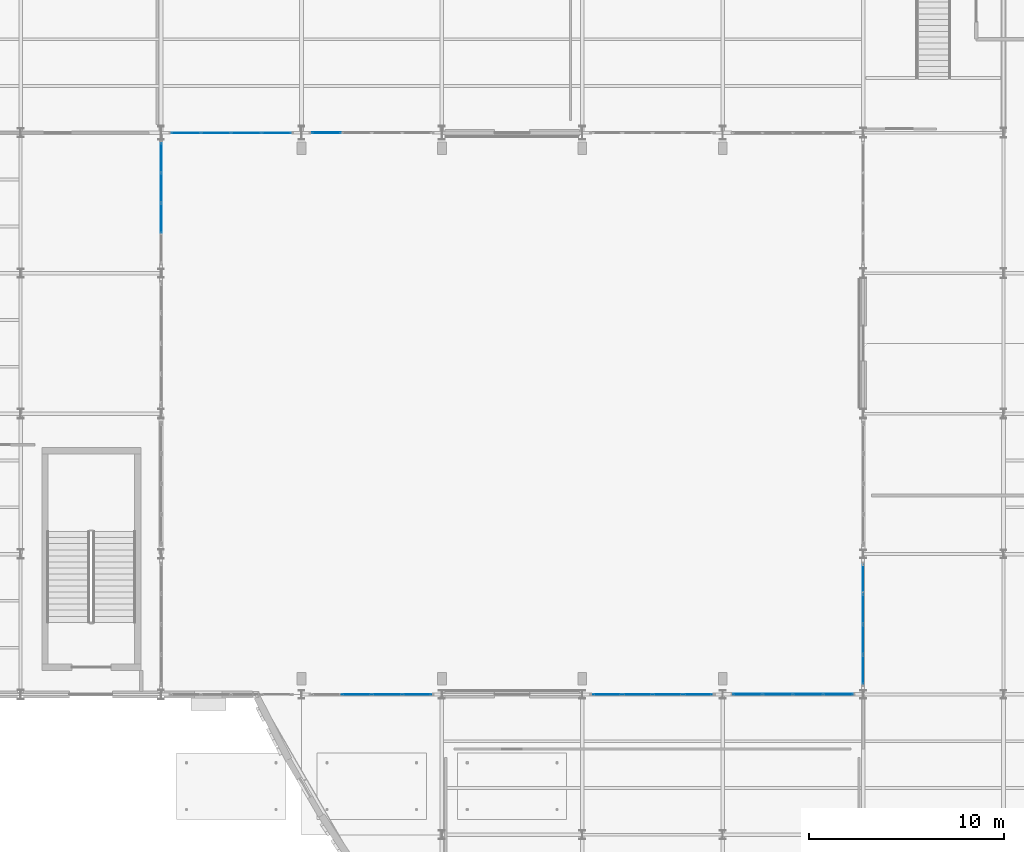
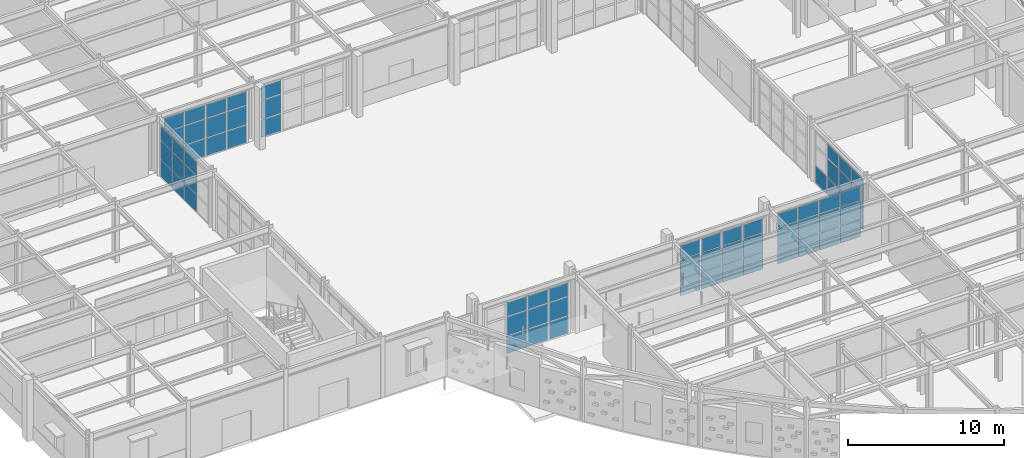
# One storey, part 50 of 83: 67 plates, 7 elements without a shape of their own.
"""IFC4 building model written with IfcOpenShell, lengths in metres."""

from ifc_helpers import new_model, si_unit, direction, frame, origin, origin_2d, place, context, subcontext, project, spatial, rectangle, extrude, material, layer, layer_set, type_object, element, aggregate, save


model = new_model("IFC4")

# Units and contexts
model_context = context("Model", 3, precision=1e-05, world=origin(), true_north=direction((0.0, 1.0)))
body_context = subcontext(model_context, "Body", "Model", "MODEL_VIEW")
ifc_project = project(units=[si_unit("LENGTHUNIT", "METRE"), si_unit("AREAUNIT", "SQUARE_METRE"), si_unit("VOLUMEUNIT", "CUBIC_METRE"), si_unit("PLANEANGLEUNIT", "RADIAN"), si_unit("MASSUNIT", "GRAM", prefix="KILO")], contexts=[model_context])

# Site, building, storey
site_placement = place(None, origin())
site = spatial("IfcSite", under=ifc_project, at=site_placement, CompositionType="ELEMENT")
building_placement = place(site_placement, origin())
building = spatial("IfcBuilding", under=site, at=building_placement, Name="Solvadek Multi-Sports Hall", CompositionType="ELEMENT")
storey_placement = place(building_placement, origin())
storey = spatial("IfcBuildingStorey", under=building, at=storey_placement, Name="L00", CompositionType="ELEMENT", Elevation=0.0)

# Curtain wall, plates
ifc_material_1 = material(Name="Anodised aluminium", Category="aluminium")
ifc_layer_1 = layer(ifc_material_1, 0.159912109375, Name="Anodised aluminium")
ifc_layer_set_1 = layer_set([ifc_layer_1], Name="Anodised aluminium")
curtain_wall_type_1 = type_object("IfcCurtainWallType", Name="ENV-CW-624X412", PredefinedType="USERDEFINED", material=ifc_layer_set_1)
curtain_wall_1_placement = place(storey_placement, origin())
curtain_wall_1 = element("IfcCurtainWall", 1, at=curtain_wall_1_placement, inside=storey, type_object=curtain_wall_type_1, Name="L00 Perimeter Bay Curtain Wall #155", ObjectType="CURTAIN WALL", PredefinedType="USERDEFINED")
ifc_material_2 = material(Name="Tempered laminated low-E glass", Category="glass")
ifc_layer_2 = layer(ifc_material_2, 0.028076171875, Name="Tempered laminated low-E glass")
ifc_layer_set_2 = layer_set([ifc_layer_2], Name="Tempered laminated low-E glass")
plate_type_1 = type_object("IfcPlateType", Name="ENV-CWP-02", PredefinedType="CURTAIN_PANEL", material=ifc_layer_set_2)
plate_1_placement = place(storey_placement, frame((22.875, 49.199951171875, 0.06005859375), z_axis=(0.0, 0.0, 1.0), x_axis=(1.0, 0.0, 0.0)))
plate_1 = element("IfcPlate", 2, at=plate_1_placement, type_object=plate_type_1, Name="CW-38 panel 1.1", PredefinedType="CURTAIN_PANEL", context=body_context, shape_type="SweptSolid", body=[
    extrude(rectangle(XDim=1.469970703125, YDim=0.028076171875, at=origin_2d()), origin(), (0.0, 0.0, 1.0), 1.35400390625),
])
plate_2_placement = place(storey_placement, frame((22.875, 49.199951171875, 1.47412109375), z_axis=(0.0, 0.0, 1.0), x_axis=(1.0, 0.0, 0.0)))
plate_2 = element("IfcPlate", 3, at=plate_2_placement, type_object=plate_type_1, Name="CW-38 panel 1.2", PredefinedType="CURTAIN_PANEL", context=body_context, shape_type="SweptSolid", body=[
    extrude(rectangle(XDim=1.469970703125, YDim=0.028076171875, at=origin_2d()), origin(), (0.0, 0.0, 1.0), 1.466064453125),
])
plate_3_placement = place(storey_placement, frame((22.875, 49.199951171875, 3.0), z_axis=(0.0, 0.0, 1.0), x_axis=(1.0, 0.0, 0.0)))
plate_3 = element("IfcPlate", 4, at=plate_3_placement, type_object=plate_type_1, Name="CW-38 panel 1.3", PredefinedType="CURTAIN_PANEL", context=body_context, shape_type="SweptSolid", body=[
    extrude(rectangle(XDim=1.469970703125, YDim=0.028076171875, at=origin_2d()), origin(), (0.0, 0.0, 1.0), 1.06494140625),
])
plate_4_placement = place(storey_placement, frame((24.419921875, 49.199951171875, 0.06005859375), z_axis=(0.0, 0.0, 1.0), x_axis=(1.0, 0.0, 0.0)))
plate_4 = element("IfcPlate", 5, at=plate_4_placement, type_object=plate_type_1, Name="CW-38 panel 2.1", PredefinedType="CURTAIN_PANEL", context=body_context, shape_type="SweptSolid", body=[
    extrude(rectangle(XDim=1.5, YDim=0.028076171875, at=origin_2d()), origin(), (0.0, 0.0, 1.0), 1.35400390625),
])
plate_5_placement = place(storey_placement, frame((24.419921875, 49.199951171875, 1.47412109375), z_axis=(0.0, 0.0, 1.0), x_axis=(1.0, 0.0, 0.0)))
plate_5 = element("IfcPlate", 6, at=plate_5_placement, type_object=plate_type_1, Name="CW-38 panel 2.2", PredefinedType="CURTAIN_PANEL", context=body_context, shape_type="SweptSolid", body=[
    extrude(rectangle(XDim=1.5, YDim=0.028076171875, at=origin_2d()), origin(), (0.0, 0.0, 1.0), 1.466064453125),
])
plate_6_placement = place(storey_placement, frame((24.419921875, 49.199951171875, 3.0), z_axis=(0.0, 0.0, 1.0), x_axis=(1.0, 0.0, 0.0)))
plate_6 = element("IfcPlate", 7, at=plate_6_placement, type_object=plate_type_1, Name="CW-38 panel 2.3", PredefinedType="CURTAIN_PANEL", context=body_context, shape_type="SweptSolid", body=[
    extrude(rectangle(XDim=1.5, YDim=0.028076171875, at=origin_2d()), origin(), (0.0, 0.0, 1.0), 1.06494140625),
])
plate_7_placement = place(storey_placement, frame((25.97998046875, 49.199951171875, 0.06005859375), z_axis=(0.0, 0.0, 1.0), x_axis=(1.0, 0.0, 0.0)))
plate_7 = element("IfcPlate", 8, at=plate_7_placement, type_object=plate_type_1, Name="CW-38 panel 3.1", PredefinedType="CURTAIN_PANEL", context=body_context, shape_type="SweptSolid", body=[
    extrude(rectangle(XDim=1.5, YDim=0.028076171875, at=origin_2d()), origin(), (0.0, 0.0, 1.0), 1.35400390625),
])
plate_8_placement = place(storey_placement, frame((25.97998046875, 49.199951171875, 1.47412109375), z_axis=(0.0, 0.0, 1.0), x_axis=(1.0, 0.0, 0.0)))
plate_8 = element("IfcPlate", 9, at=plate_8_placement, type_object=plate_type_1, Name="CW-38 panel 3.2", PredefinedType="CURTAIN_PANEL", context=body_context, shape_type="SweptSolid", body=[
    extrude(rectangle(XDim=1.5, YDim=0.028076171875, at=origin_2d()), origin(), (0.0, 0.0, 1.0), 1.466064453125),
])
plate_9_placement = place(storey_placement, frame((25.97998046875, 49.199951171875, 3.0), z_axis=(0.0, 0.0, 1.0), x_axis=(1.0, 0.0, 0.0)))
plate_9 = element("IfcPlate", 10, at=plate_9_placement, type_object=plate_type_1, Name="CW-38 panel 3.3", PredefinedType="CURTAIN_PANEL", context=body_context, shape_type="SweptSolid", body=[
    extrude(rectangle(XDim=1.5, YDim=0.028076171875, at=origin_2d()), origin(), (0.0, 0.0, 1.0), 1.06494140625),
])
plate_10_placement = place(storey_placement, frame((27.52490234375, 49.199951171875, 0.06005859375), z_axis=(0.0, 0.0, 1.0), x_axis=(1.0, 0.0, 0.0)))
plate_10 = element("IfcPlate", 11, at=plate_10_placement, type_object=plate_type_1, Name="CW-38 panel 4.1", PredefinedType="CURTAIN_PANEL", context=body_context, shape_type="SweptSolid", body=[
    extrude(rectangle(XDim=1.469970703125, YDim=0.028076171875, at=origin_2d()), origin(), (0.0, 0.0, 1.0), 1.35400390625),
])
plate_11_placement = place(storey_placement, frame((27.52490234375, 49.199951171875, 1.47412109375), z_axis=(0.0, 0.0, 1.0), x_axis=(1.0, 0.0, 0.0)))
plate_11 = element("IfcPlate", 12, at=plate_11_placement, type_object=plate_type_1, Name="CW-38 panel 4.2", PredefinedType="CURTAIN_PANEL", context=body_context, shape_type="SweptSolid", body=[
    extrude(rectangle(XDim=1.469970703125, YDim=0.028076171875, at=origin_2d()), origin(), (0.0, 0.0, 1.0), 1.466064453125),
])
plate_12_placement = place(storey_placement, frame((27.52490234375, 49.199951171875, 3.0), z_axis=(0.0, 0.0, 1.0), x_axis=(1.0, 0.0, 0.0)))
plate_12 = element("IfcPlate", 13, at=plate_12_placement, type_object=plate_type_1, Name="CW-38 panel 4.3", PredefinedType="CURTAIN_PANEL", context=body_context, shape_type="SweptSolid", body=[
    extrude(rectangle(XDim=1.469970703125, YDim=0.028076171875, at=origin_2d()), origin(), (0.0, 0.0, 1.0), 1.06494140625),
])
aggregate(curtain_wall_1, [plate_1, plate_2, plate_3, plate_4, plate_5, plate_6, plate_7, plate_8, plate_9, plate_10, plate_11, plate_12])

ifc_layer_3 = layer(ifc_material_1, 0.159912109375, Name="Anodised aluminium")
ifc_layer_set_3 = layer_set([ifc_layer_3], Name="Anodised aluminium")
curtain_wall_type_2 = type_object("IfcCurtainWallType", Name="ENV-CW-624X410", PredefinedType="USERDEFINED", material=ifc_layer_set_3)
curtain_wall_2_placement = place(storey_placement, origin())
curtain_wall_2 = element("IfcCurtainWall", 14, at=curtain_wall_2_placement, inside=storey, type_object=curtain_wall_type_2, Name="L00 Perimeter Bay Curtain Wall #158", ObjectType="CURTAIN WALL", PredefinedType="USERDEFINED")
ifc_layer_4 = layer(ifc_material_2, 0.031982421875, Name="Tempered laminated low-E glass")
ifc_layer_set_4 = layer_set([ifc_layer_4], Name="Tempered laminated low-E glass")
plate_type_2 = type_object("IfcPlateType", Name="ENV-CWP-03", PredefinedType="CURTAIN_PANEL", material=ifc_layer_set_4)
plate_13_placement = place(storey_placement, frame((31.6201171875, 20.39990234375, 0.06494140625), z_axis=(0.0, 0.0, 1.0), x_axis=(1.0, 0.0, 0.0)))
plate_13 = element("IfcPlate", 15, at=plate_13_placement, type_object=plate_type_2, Name="CW-39 panel 2.1", PredefinedType="CURTAIN_PANEL", context=body_context, shape_type="SweptSolid", body=[
    extrude(rectangle(XDim=1.4951171875, YDim=0.031982421875, at=origin_2d()), origin(), (0.0, 0.0, 1.0), 1.33740234375),
])
plate_14_placement = place(storey_placement, frame((31.6201171875, 20.39990234375, 1.4677734375), z_axis=(0.0, 0.0, 1.0), x_axis=(1.0, 0.0, 0.0)))
plate_14 = element("IfcPlate", 16, at=plate_14_placement, type_object=plate_type_2, Name="CW-39 panel 2.2", PredefinedType="CURTAIN_PANEL", context=body_context, shape_type="SweptSolid", body=[
    extrude(rectangle(XDim=1.4951171875, YDim=0.031982421875, at=origin_2d()), origin(), (0.0, 0.0, 1.0), 1.451904296875),
])
plate_15_placement = place(storey_placement, frame((31.6201171875, 20.39990234375, 2.984375), z_axis=(0.0, 0.0, 1.0), x_axis=(1.0, 0.0, 0.0)))
plate_15 = element("IfcPlate", 17, at=plate_15_placement, type_object=plate_type_2, Name="CW-39 panel 2.3", PredefinedType="CURTAIN_PANEL", context=body_context, shape_type="SweptSolid", body=[
    extrude(rectangle(XDim=1.4951171875, YDim=0.031982421875, at=origin_2d()), origin(), (0.0, 0.0, 1.0), 1.050537109375),
])
plate_16_placement = place(storey_placement, frame((33.179931640625, 20.39990234375, 0.06494140625), z_axis=(0.0, 0.0, 1.0), x_axis=(1.0, 0.0, 0.0)))
plate_16 = element("IfcPlate", 18, at=plate_16_placement, type_object=plate_type_2, Name="CW-39 panel 3.1", PredefinedType="CURTAIN_PANEL", context=body_context, shape_type="SweptSolid", body=[
    extrude(rectangle(XDim=1.4951171875, YDim=0.031982421875, at=origin_2d()), origin(), (0.0, 0.0, 1.0), 1.33740234375),
])
plate_17_placement = place(storey_placement, frame((33.179931640625, 20.39990234375, 1.4677734375), z_axis=(0.0, 0.0, 1.0), x_axis=(1.0, 0.0, 0.0)))
plate_17 = element("IfcPlate", 19, at=plate_17_placement, type_object=plate_type_2, Name="CW-39 panel 3.2", PredefinedType="CURTAIN_PANEL", context=body_context, shape_type="SweptSolid", body=[
    extrude(rectangle(XDim=1.4951171875, YDim=0.031982421875, at=origin_2d()), origin(), (0.0, 0.0, 1.0), 1.451904296875),
])
plate_18_placement = place(storey_placement, frame((33.179931640625, 20.39990234375, 2.984375), z_axis=(0.0, 0.0, 1.0), x_axis=(1.0, 0.0, 0.0)))
plate_18 = element("IfcPlate", 20, at=plate_18_placement, type_object=plate_type_2, Name="CW-39 panel 3.3", PredefinedType="CURTAIN_PANEL", context=body_context, shape_type="SweptSolid", body=[
    extrude(rectangle(XDim=1.4951171875, YDim=0.031982421875, at=origin_2d()), origin(), (0.0, 0.0, 1.0), 1.050537109375),
])
plate_19_placement = place(storey_placement, frame((34.7236328125, 20.39990234375, 0.06494140625), z_axis=(0.0, 0.0, 1.0), x_axis=(1.0, 0.0, 0.0)))
plate_19 = element("IfcPlate", 21, at=plate_19_placement, type_object=plate_type_2, Name="CW-39 panel 4.1", PredefinedType="CURTAIN_PANEL", context=body_context, shape_type="SweptSolid", body=[
    extrude(rectangle(XDim=1.46240234375, YDim=0.031982421875, at=origin_2d()), origin(), (0.0, 0.0, 1.0), 1.33740234375),
])
plate_20_placement = place(storey_placement, frame((34.7236328125, 20.39990234375, 1.4677734375), z_axis=(0.0, 0.0, 1.0), x_axis=(1.0, 0.0, 0.0)))
plate_20 = element("IfcPlate", 22, at=plate_20_placement, type_object=plate_type_2, Name="CW-39 panel 4.2", PredefinedType="CURTAIN_PANEL", context=body_context, shape_type="SweptSolid", body=[
    extrude(rectangle(XDim=1.46240234375, YDim=0.031982421875, at=origin_2d()), origin(), (0.0, 0.0, 1.0), 1.451904296875),
])
plate_21_placement = place(storey_placement, frame((34.7236328125, 20.39990234375, 2.984375), z_axis=(0.0, 0.0, 1.0), x_axis=(1.0, 0.0, 0.0)))
plate_21 = element("IfcPlate", 23, at=plate_21_placement, type_object=plate_type_2, Name="CW-39 panel 4.3", PredefinedType="CURTAIN_PANEL", context=body_context, shape_type="SweptSolid", body=[
    extrude(rectangle(XDim=1.46240234375, YDim=0.031982421875, at=origin_2d()), origin(), (0.0, 0.0, 1.0), 1.050537109375),
])
aggregate(curtain_wall_2, [plate_13, plate_14, plate_15, plate_16, plate_17, plate_18, plate_19, plate_20, plate_21])

curtain_wall_3_placement = place(storey_placement, origin())
curtain_wall_3 = element("IfcCurtainWall", 24, at=curtain_wall_3_placement, inside=storey, type_object=curtain_wall_type_2, Name="L00 Perimeter Bay Curtain Wall #161", ObjectType="CURTAIN WALL", PredefinedType="USERDEFINED")
plate_22_placement = place(storey_placement, frame((30.076171875, 49.199951171875, 0.06494140625), z_axis=(0.0, 0.0, 1.0), x_axis=(1.0, 0.0, 0.0)))
plate_22 = element("IfcPlate", 25, at=plate_22_placement, type_object=plate_type_2, Name="CW-39 panel 1.1", PredefinedType="CURTAIN_PANEL", context=body_context, shape_type="SweptSolid", body=[
    extrude(rectangle(XDim=1.46240234375, YDim=0.031982421875, at=origin_2d()), origin(), (0.0, 0.0, 1.0), 1.33740234375),
])
plate_23_placement = place(storey_placement, frame((30.076171875, 49.199951171875, 1.4677734375), z_axis=(0.0, 0.0, 1.0), x_axis=(1.0, 0.0, 0.0)))
plate_23 = element("IfcPlate", 26, at=plate_23_placement, type_object=plate_type_2, Name="CW-39 panel 1.2", PredefinedType="CURTAIN_PANEL", context=body_context, shape_type="SweptSolid", body=[
    extrude(rectangle(XDim=1.46240234375, YDim=0.031982421875, at=origin_2d()), origin(), (0.0, 0.0, 1.0), 1.451904296875),
])
plate_24_placement = place(storey_placement, frame((30.076171875, 49.199951171875, 2.984375), z_axis=(0.0, 0.0, 1.0), x_axis=(1.0, 0.0, 0.0)))
plate_24 = element("IfcPlate", 27, at=plate_24_placement, type_object=plate_type_2, Name="CW-39 panel 1.3", PredefinedType="CURTAIN_PANEL", context=body_context, shape_type="SweptSolid", body=[
    extrude(rectangle(XDim=1.46240234375, YDim=0.031982421875, at=origin_2d()), origin(), (0.0, 0.0, 1.0), 1.050537109375),
])
aggregate(curtain_wall_3, [plate_22, plate_23, plate_24])

curtain_wall_4_placement = place(storey_placement, origin())
curtain_wall_4 = element("IfcCurtainWall", 28, at=curtain_wall_4_placement, inside=storey, type_object=curtain_wall_type_2, Name="L00 Perimeter Bay Curtain Wall #183", ObjectType="CURTAIN WALL", PredefinedType="USERDEFINED")
plate_25_placement = place(storey_placement, frame((57.60009765625, 21.67626953125, 0.06494140625), z_axis=(0.0, 0.0, 1.0), x_axis=(0.0, 1.0, 0.0)))
plate_25 = element("IfcPlate", 29, at=plate_25_placement, type_object=plate_type_2, Name="CW-39 panel 1.1", PredefinedType="CURTAIN_PANEL", context=body_context, shape_type="SweptSolid", body=[
    extrude(rectangle(XDim=1.46240234375, YDim=0.031982421875, at=origin_2d()), origin(), (0.0, 0.0, 1.0), 1.33740234375),
])
plate_26_placement = place(storey_placement, frame((57.60009765625, 21.67626953125, 1.4677734375), z_axis=(0.0, 0.0, 1.0), x_axis=(0.0, 1.0, 0.0)))
plate_26 = element("IfcPlate", 30, at=plate_26_placement, type_object=plate_type_2, Name="CW-39 panel 1.2", PredefinedType="CURTAIN_PANEL", context=body_context, shape_type="SweptSolid", body=[
    extrude(rectangle(XDim=1.46240234375, YDim=0.031982421875, at=origin_2d()), origin(), (0.0, 0.0, 1.0), 1.451904296875),
])
plate_27_placement = place(storey_placement, frame((57.60009765625, 21.67626953125, 2.984375), z_axis=(0.0, 0.0, 1.0), x_axis=(0.0, 1.0, 0.0)))
plate_27 = element("IfcPlate", 31, at=plate_27_placement, type_object=plate_type_2, Name="CW-39 panel 1.3", PredefinedType="CURTAIN_PANEL", context=body_context, shape_type="SweptSolid", body=[
    extrude(rectangle(XDim=1.46240234375, YDim=0.031982421875, at=origin_2d()), origin(), (0.0, 0.0, 1.0), 1.050537109375),
])
plate_28_placement = place(storey_placement, frame((57.60009765625, 23.219970703125, 0.06494140625), z_axis=(0.0, 0.0, 1.0), x_axis=(0.0, 1.0, 0.0)))
plate_28 = element("IfcPlate", 32, at=plate_28_placement, type_object=plate_type_2, Name="CW-39 panel 2.1", PredefinedType="CURTAIN_PANEL", context=body_context, shape_type="SweptSolid", body=[
    extrude(rectangle(XDim=1.4951171875, YDim=0.031982421875, at=origin_2d()), origin(), (0.0, 0.0, 1.0), 1.33740234375),
])
plate_29_placement = place(storey_placement, frame((57.60009765625, 23.219970703125, 1.4677734375), z_axis=(0.0, 0.0, 1.0), x_axis=(0.0, 1.0, 0.0)))
plate_29 = element("IfcPlate", 33, at=plate_29_placement, type_object=plate_type_2, Name="CW-39 panel 2.2", PredefinedType="CURTAIN_PANEL", context=body_context, shape_type="SweptSolid", body=[
    extrude(rectangle(XDim=1.4951171875, YDim=0.031982421875, at=origin_2d()), origin(), (0.0, 0.0, 1.0), 1.451904296875),
])
plate_30_placement = place(storey_placement, frame((57.60009765625, 23.219970703125, 2.984375), z_axis=(0.0, 0.0, 1.0), x_axis=(0.0, 1.0, 0.0)))
plate_30 = element("IfcPlate", 34, at=plate_30_placement, type_object=plate_type_2, Name="CW-39 panel 2.3", PredefinedType="CURTAIN_PANEL", context=body_context, shape_type="SweptSolid", body=[
    extrude(rectangle(XDim=1.4951171875, YDim=0.031982421875, at=origin_2d()), origin(), (0.0, 0.0, 1.0), 1.050537109375),
])
plate_31_placement = place(storey_placement, frame((57.60009765625, 24.780029296875, 0.06494140625), z_axis=(0.0, 0.0, 1.0), x_axis=(0.0, 1.0, 0.0)))
plate_31 = element("IfcPlate", 35, at=plate_31_placement, type_object=plate_type_2, Name="CW-39 panel 3.1", PredefinedType="CURTAIN_PANEL", context=body_context, shape_type="SweptSolid", body=[
    extrude(rectangle(XDim=1.4951171875, YDim=0.031982421875, at=origin_2d()), origin(), (0.0, 0.0, 1.0), 1.33740234375),
])
plate_32_placement = place(storey_placement, frame((57.60009765625, 24.780029296875, 1.4677734375), z_axis=(0.0, 0.0, 1.0), x_axis=(0.0, 1.0, 0.0)))
plate_32 = element("IfcPlate", 36, at=plate_32_placement, type_object=plate_type_2, Name="CW-39 panel 3.2", PredefinedType="CURTAIN_PANEL", context=body_context, shape_type="SweptSolid", body=[
    extrude(rectangle(XDim=1.4951171875, YDim=0.031982421875, at=origin_2d()), origin(), (0.0, 0.0, 1.0), 1.451904296875),
])
plate_33_placement = place(storey_placement, frame((57.60009765625, 24.780029296875, 2.984375), z_axis=(0.0, 0.0, 1.0), x_axis=(0.0, 1.0, 0.0)))
plate_33 = element("IfcPlate", 37, at=plate_33_placement, type_object=plate_type_2, Name="CW-39 panel 3.3", PredefinedType="CURTAIN_PANEL", context=body_context, shape_type="SweptSolid", body=[
    extrude(rectangle(XDim=1.4951171875, YDim=0.031982421875, at=origin_2d()), origin(), (0.0, 0.0, 1.0), 1.050537109375),
])
plate_34_placement = place(storey_placement, frame((57.60009765625, 26.32373046875, 0.06494140625), z_axis=(0.0, 0.0, 1.0), x_axis=(0.0, 1.0, 0.0)))
plate_34 = element("IfcPlate", 38, at=plate_34_placement, type_object=plate_type_2, Name="CW-39 panel 4.1", PredefinedType="CURTAIN_PANEL", context=body_context, shape_type="SweptSolid", body=[
    extrude(rectangle(XDim=1.46240234375, YDim=0.031982421875, at=origin_2d()), origin(), (0.0, 0.0, 1.0), 1.33740234375),
])
aggregate(curtain_wall_4, [plate_25, plate_26, plate_27, plate_28, plate_29, plate_30, plate_31, plate_32, plate_33, plate_34])

ifc_layer_5 = layer(ifc_material_1, 0.159912109375, Name="Anodised aluminium")
ifc_layer_set_5 = layer_set([ifc_layer_5], Name="Anodised aluminium")
curtain_wall_type_3 = type_object("IfcCurtainWallType", Name="ENV-CW-624X405", PredefinedType="USERDEFINED", material=ifc_layer_set_5)
curtain_wall_5_placement = place(storey_placement, origin())
curtain_wall_5 = element("IfcCurtainWall", 39, at=curtain_wall_5_placement, inside=storey, type_object=curtain_wall_type_3, Name="L00 Perimeter Bay Curtain Wall #168", ObjectType="CURTAIN WALL", PredefinedType="USERDEFINED")
ifc_layer_6 = layer(ifc_material_2, 0.0419921875, Name="Tempered laminated low-E glass")
ifc_layer_set_6 = layer_set([ifc_layer_6], Name="Tempered laminated low-E glass")
plate_type_3 = type_object("IfcPlateType", Name="ENV-CWP-05", PredefinedType="CURTAIN_PANEL", material=ifc_layer_set_6)
plate_35_placement = place(storey_placement, frame((44.4775390625, 20.39990234375, 0.06005859375), z_axis=(0.0, 0.0, 1.0), x_axis=(1.0, 0.0, 0.0)))
plate_35 = element("IfcPlate", 40, at=plate_35_placement, type_object=plate_type_3, Name="CW-52 panel 1.1", PredefinedType="CURTAIN_PANEL", context=body_context, shape_type="SweptSolid", body=[
    extrude(rectangle(XDim=1.455078125, YDim=0.0419921875, at=origin_2d()), origin(), (0.0, 0.0, 1.0), 1.326904296875),
])
plate_36_placement = place(storey_placement, frame((44.4775390625, 20.39990234375, 1.447021484375), z_axis=(0.0, 0.0, 1.0), x_axis=(1.0, 0.0, 0.0)))
plate_36 = element("IfcPlate", 41, at=plate_36_placement, type_object=plate_type_3, Name="CW-52 panel 1.2", PredefinedType="CURTAIN_PANEL", context=body_context, shape_type="SweptSolid", body=[
    extrude(rectangle(XDim=1.455078125, YDim=0.0419921875, at=origin_2d()), origin(), (0.0, 0.0, 1.0), 1.43896484375),
])
plate_37_placement = place(storey_placement, frame((44.4775390625, 20.39990234375, 2.946044921875), z_axis=(0.0, 0.0, 1.0), x_axis=(1.0, 0.0, 0.0)))
plate_37 = element("IfcPlate", 42, at=plate_37_placement, type_object=plate_type_3, Name="CW-52 panel 1.3", PredefinedType="CURTAIN_PANEL", context=body_context, shape_type="SweptSolid", body=[
    extrude(rectangle(XDim=1.455078125, YDim=0.0419921875, at=origin_2d()), origin(), (0.0, 0.0, 1.0), 1.0439453125),
])
plate_38_placement = place(storey_placement, frame((46.02001953125, 20.39990234375, 0.06005859375), z_axis=(0.0, 0.0, 1.0), x_axis=(1.0, 0.0, 0.0)))
plate_38 = element("IfcPlate", 43, at=plate_38_placement, type_object=plate_type_3, Name="CW-52 panel 2.1", PredefinedType="CURTAIN_PANEL", context=body_context, shape_type="SweptSolid", body=[
    extrude(rectangle(XDim=1.489990234375, YDim=0.0419921875, at=origin_2d()), origin(), (0.0, 0.0, 1.0), 1.326904296875),
])
plate_39_placement = place(storey_placement, frame((46.02001953125, 20.39990234375, 1.447021484375), z_axis=(0.0, 0.0, 1.0), x_axis=(1.0, 0.0, 0.0)))
plate_39 = element("IfcPlate", 44, at=plate_39_placement, type_object=plate_type_3, Name="CW-52 panel 2.2", PredefinedType="CURTAIN_PANEL", context=body_context, shape_type="SweptSolid", body=[
    extrude(rectangle(XDim=1.489990234375, YDim=0.0419921875, at=origin_2d()), origin(), (0.0, 0.0, 1.0), 1.43896484375),
])
plate_40_placement = place(storey_placement, frame((46.02001953125, 20.39990234375, 2.946044921875), z_axis=(0.0, 0.0, 1.0), x_axis=(1.0, 0.0, 0.0)))
plate_40 = element("IfcPlate", 45, at=plate_40_placement, type_object=plate_type_3, Name="CW-52 panel 2.3", PredefinedType="CURTAIN_PANEL", context=body_context, shape_type="SweptSolid", body=[
    extrude(rectangle(XDim=1.489990234375, YDim=0.0419921875, at=origin_2d()), origin(), (0.0, 0.0, 1.0), 1.0439453125),
])
plate_41_placement = place(storey_placement, frame((47.580078125, 20.39990234375, 0.06005859375), z_axis=(0.0, 0.0, 1.0), x_axis=(1.0, 0.0, 0.0)))
plate_41 = element("IfcPlate", 46, at=plate_41_placement, type_object=plate_type_3, Name="CW-52 panel 3.1", PredefinedType="CURTAIN_PANEL", context=body_context, shape_type="SweptSolid", body=[
    extrude(rectangle(XDim=1.489990234375, YDim=0.0419921875, at=origin_2d()), origin(), (0.0, 0.0, 1.0), 1.326904296875),
])
plate_42_placement = place(storey_placement, frame((47.580078125, 20.39990234375, 1.447021484375), z_axis=(0.0, 0.0, 1.0), x_axis=(1.0, 0.0, 0.0)))
plate_42 = element("IfcPlate", 47, at=plate_42_placement, type_object=plate_type_3, Name="CW-52 panel 3.2", PredefinedType="CURTAIN_PANEL", context=body_context, shape_type="SweptSolid", body=[
    extrude(rectangle(XDim=1.489990234375, YDim=0.0419921875, at=origin_2d()), origin(), (0.0, 0.0, 1.0), 1.43896484375),
])
plate_43_placement = place(storey_placement, frame((47.580078125, 20.39990234375, 2.946044921875), z_axis=(0.0, 0.0, 1.0), x_axis=(1.0, 0.0, 0.0)))
plate_43 = element("IfcPlate", 48, at=plate_43_placement, type_object=plate_type_3, Name="CW-52 panel 3.3", PredefinedType="CURTAIN_PANEL", context=body_context, shape_type="SweptSolid", body=[
    extrude(rectangle(XDim=1.489990234375, YDim=0.0419921875, at=origin_2d()), origin(), (0.0, 0.0, 1.0), 1.0439453125),
])
plate_44_placement = place(storey_placement, frame((49.12255859375, 20.39990234375, 0.06005859375), z_axis=(0.0, 0.0, 1.0), x_axis=(1.0, 0.0, 0.0)))
plate_44 = element("IfcPlate", 49, at=plate_44_placement, type_object=plate_type_3, Name="CW-52 panel 4.1", PredefinedType="CURTAIN_PANEL", context=body_context, shape_type="SweptSolid", body=[
    extrude(rectangle(XDim=1.455078125, YDim=0.0419921875, at=origin_2d()), origin(), (0.0, 0.0, 1.0), 1.326904296875),
])
plate_45_placement = place(storey_placement, frame((49.12255859375, 20.39990234375, 1.447021484375), z_axis=(0.0, 0.0, 1.0), x_axis=(1.0, 0.0, 0.0)))
plate_45 = element("IfcPlate", 50, at=plate_45_placement, type_object=plate_type_3, Name="CW-52 panel 4.2", PredefinedType="CURTAIN_PANEL", context=body_context, shape_type="SweptSolid", body=[
    extrude(rectangle(XDim=1.455078125, YDim=0.0419921875, at=origin_2d()), origin(), (0.0, 0.0, 1.0), 1.43896484375),
])
plate_46_placement = place(storey_placement, frame((49.12255859375, 20.39990234375, 2.946044921875), z_axis=(0.0, 0.0, 1.0), x_axis=(1.0, 0.0, 0.0)))
plate_46 = element("IfcPlate", 51, at=plate_46_placement, type_object=plate_type_3, Name="CW-52 panel 4.3", PredefinedType="CURTAIN_PANEL", context=body_context, shape_type="SweptSolid", body=[
    extrude(rectangle(XDim=1.455078125, YDim=0.0419921875, at=origin_2d()), origin(), (0.0, 0.0, 1.0), 1.0439453125),
])
aggregate(curtain_wall_5, [plate_35, plate_36, plate_37, plate_38, plate_39, plate_40, plate_41, plate_42, plate_43, plate_44, plate_45, plate_46])

ifc_layer_7 = layer(ifc_material_1, 0.159912109375, Name="Anodised aluminium")
ifc_layer_set_7 = layer_set([ifc_layer_7], Name="Anodised aluminium")
curtain_wall_type_4 = type_object("IfcCurtainWallType", Name="ENV-CW-624X403", PredefinedType="USERDEFINED", material=ifc_layer_set_7)
curtain_wall_6_placement = place(storey_placement, origin())
curtain_wall_6 = element("IfcCurtainWall", 52, at=curtain_wall_6_placement, inside=storey, type_object=curtain_wall_type_4, Name="L00 Perimeter Bay Curtain Wall #174", ObjectType="CURTAIN WALL", PredefinedType="USERDEFINED")
ifc_layer_8 = layer(ifc_material_2, 0.048095703125, Name="Tempered laminated low-E glass")
ifc_layer_set_8 = layer_set([ifc_layer_8], Name="Tempered laminated low-E glass")
plate_type_4 = type_object("IfcPlateType", Name="ENV-CWP-06", PredefinedType="CURTAIN_PANEL", material=ifc_layer_set_8)
plate_47_placement = place(storey_placement, frame((51.675048828125, 20.39990234375, 0.06005859375), z_axis=(0.0, 0.0, 1.0), x_axis=(1.0, 0.0, 0.0)))
plate_47 = element("IfcPlate", 53, at=plate_47_placement, type_object=plate_type_4, Name="CW-43 panel 1.1", PredefinedType="CURTAIN_PANEL", context=body_context, shape_type="SweptSolid", body=[
    extrude(rectangle(XDim=1.469970703125, YDim=0.048095703125, at=origin_2d()), origin(), (0.0, 0.0, 1.0), 1.319091796875),
])
plate_48_placement = place(storey_placement, frame((51.675048828125, 20.39990234375, 1.43896484375), z_axis=(0.0, 0.0, 1.0), x_axis=(1.0, 0.0, 0.0)))
plate_48 = element("IfcPlate", 54, at=plate_48_placement, type_object=plate_type_4, Name="CW-43 panel 1.2", PredefinedType="CURTAIN_PANEL", context=body_context, shape_type="SweptSolid", body=[
    extrude(rectangle(XDim=1.469970703125, YDim=0.048095703125, at=origin_2d()), origin(), (0.0, 0.0, 1.0), 1.428955078125),
])
plate_49_placement = place(storey_placement, frame((51.675048828125, 20.39990234375, 2.927978515625), z_axis=(0.0, 0.0, 1.0), x_axis=(1.0, 0.0, 0.0)))
plate_49 = element("IfcPlate", 55, at=plate_49_placement, type_object=plate_type_4, Name="CW-43 panel 1.3", PredefinedType="CURTAIN_PANEL", context=body_context, shape_type="SweptSolid", body=[
    extrude(rectangle(XDim=1.469970703125, YDim=0.048095703125, at=origin_2d()), origin(), (0.0, 0.0, 1.0), 1.037109375),
])
plate_50_placement = place(storey_placement, frame((53.219970703125, 20.39990234375, 0.06005859375), z_axis=(0.0, 0.0, 1.0), x_axis=(1.0, 0.0, 0.0)))
plate_50 = element("IfcPlate", 56, at=plate_50_placement, type_object=plate_type_4, Name="CW-43 panel 2.1", PredefinedType="CURTAIN_PANEL", context=body_context, shape_type="SweptSolid", body=[
    extrude(rectangle(XDim=1.5, YDim=0.048095703125, at=origin_2d()), origin(), (0.0, 0.0, 1.0), 1.319091796875),
])
plate_51_placement = place(storey_placement, frame((53.219970703125, 20.39990234375, 1.43896484375), z_axis=(0.0, 0.0, 1.0), x_axis=(1.0, 0.0, 0.0)))
plate_51 = element("IfcPlate", 57, at=plate_51_placement, type_object=plate_type_4, Name="CW-43 panel 2.2", PredefinedType="CURTAIN_PANEL", context=body_context, shape_type="SweptSolid", body=[
    extrude(rectangle(XDim=1.5, YDim=0.048095703125, at=origin_2d()), origin(), (0.0, 0.0, 1.0), 1.428955078125),
])
plate_52_placement = place(storey_placement, frame((53.219970703125, 20.39990234375, 2.927978515625), z_axis=(0.0, 0.0, 1.0), x_axis=(1.0, 0.0, 0.0)))
plate_52 = element("IfcPlate", 58, at=plate_52_placement, type_object=plate_type_4, Name="CW-43 panel 2.3", PredefinedType="CURTAIN_PANEL", context=body_context, shape_type="SweptSolid", body=[
    extrude(rectangle(XDim=1.5, YDim=0.048095703125, at=origin_2d()), origin(), (0.0, 0.0, 1.0), 1.037109375),
])
plate_53_placement = place(storey_placement, frame((54.780029296875, 20.39990234375, 0.06005859375), z_axis=(0.0, 0.0, 1.0), x_axis=(1.0, 0.0, 0.0)))
plate_53 = element("IfcPlate", 59, at=plate_53_placement, type_object=plate_type_4, Name="CW-43 panel 3.1", PredefinedType="CURTAIN_PANEL", context=body_context, shape_type="SweptSolid", body=[
    extrude(rectangle(XDim=1.5, YDim=0.048095703125, at=origin_2d()), origin(), (0.0, 0.0, 1.0), 1.319091796875),
])
plate_54_placement = place(storey_placement, frame((54.780029296875, 20.39990234375, 1.43896484375), z_axis=(0.0, 0.0, 1.0), x_axis=(1.0, 0.0, 0.0)))
plate_54 = element("IfcPlate", 60, at=plate_54_placement, type_object=plate_type_4, Name="CW-43 panel 3.2", PredefinedType="CURTAIN_PANEL", context=body_context, shape_type="SweptSolid", body=[
    extrude(rectangle(XDim=1.5, YDim=0.048095703125, at=origin_2d()), origin(), (0.0, 0.0, 1.0), 1.428955078125),
])
plate_55_placement = place(storey_placement, frame((54.780029296875, 20.39990234375, 2.927978515625), z_axis=(0.0, 0.0, 1.0), x_axis=(1.0, 0.0, 0.0)))
plate_55 = element("IfcPlate", 61, at=plate_55_placement, type_object=plate_type_4, Name="CW-43 panel 3.3", PredefinedType="CURTAIN_PANEL", context=body_context, shape_type="SweptSolid", body=[
    extrude(rectangle(XDim=1.5, YDim=0.048095703125, at=origin_2d()), origin(), (0.0, 0.0, 1.0), 1.037109375),
])
plate_56_placement = place(storey_placement, frame((56.324951171875, 20.39990234375, 0.06005859375), z_axis=(0.0, 0.0, 1.0), x_axis=(1.0, 0.0, 0.0)))
plate_56 = element("IfcPlate", 62, at=plate_56_placement, type_object=plate_type_4, Name="CW-43 panel 4.1", PredefinedType="CURTAIN_PANEL", context=body_context, shape_type="SweptSolid", body=[
    extrude(rectangle(XDim=1.469970703125, YDim=0.048095703125, at=origin_2d()), origin(), (0.0, 0.0, 1.0), 1.319091796875),
])
plate_57_placement = place(storey_placement, frame((56.324951171875, 20.39990234375, 1.43896484375), z_axis=(0.0, 0.0, 1.0), x_axis=(1.0, 0.0, 0.0)))
plate_57 = element("IfcPlate", 63, at=plate_57_placement, type_object=plate_type_4, Name="CW-43 panel 4.2", PredefinedType="CURTAIN_PANEL", context=body_context, shape_type="SweptSolid", body=[
    extrude(rectangle(XDim=1.469970703125, YDim=0.048095703125, at=origin_2d()), origin(), (0.0, 0.0, 1.0), 1.428955078125),
])
plate_58_placement = place(storey_placement, frame((56.324951171875, 20.39990234375, 2.927978515625), z_axis=(0.0, 0.0, 1.0), x_axis=(1.0, 0.0, 0.0)))
plate_58 = element("IfcPlate", 64, at=plate_58_placement, type_object=plate_type_4, Name="CW-43 panel 4.3", PredefinedType="CURTAIN_PANEL", context=body_context, shape_type="SweptSolid", body=[
    extrude(rectangle(XDim=1.469970703125, YDim=0.048095703125, at=origin_2d()), origin(), (0.0, 0.0, 1.0), 1.037109375),
])
aggregate(curtain_wall_6, [plate_47, plate_48, plate_49, plate_50, plate_51, plate_52, plate_53, plate_54, plate_55, plate_56, plate_57, plate_58])

curtain_wall_7_placement = place(storey_placement, origin())
curtain_wall_7 = element("IfcCurtainWall", 65, at=curtain_wall_7_placement, inside=storey, type_object=curtain_wall_type_4, Name="L00 Perimeter Bay Curtain Wall #197", ObjectType="CURTAIN WALL", PredefinedType="USERDEFINED")
plate_59_placement = place(storey_placement, frame((21.60009765625, 44.820068359375, 0.06005859375), z_axis=(0.0, 0.0, 1.0), x_axis=(0.0, 1.0, 0.0)))
plate_59 = element("IfcPlate", 66, at=plate_59_placement, type_object=plate_type_4, Name="CW-43 panel 2.1", PredefinedType="CURTAIN_PANEL", context=body_context, shape_type="SweptSolid", body=[
    extrude(rectangle(XDim=1.5, YDim=0.048095703125, at=origin_2d()), origin(), (0.0, 0.0, 1.0), 1.319091796875),
])
plate_60_placement = place(storey_placement, frame((21.60009765625, 44.820068359375, 1.43896484375), z_axis=(0.0, 0.0, 1.0), x_axis=(0.0, 1.0, 0.0)))
plate_60 = element("IfcPlate", 67, at=plate_60_placement, type_object=plate_type_4, Name="CW-43 panel 2.2", PredefinedType="CURTAIN_PANEL", context=body_context, shape_type="SweptSolid", body=[
    extrude(rectangle(XDim=1.5, YDim=0.048095703125, at=origin_2d()), origin(), (0.0, 0.0, 1.0), 1.428955078125),
])
plate_61_placement = place(storey_placement, frame((21.60009765625, 44.820068359375, 2.927978515625), z_axis=(0.0, 0.0, 1.0), x_axis=(0.0, 1.0, 0.0)))
plate_61 = element("IfcPlate", 68, at=plate_61_placement, type_object=plate_type_4, Name="CW-43 panel 2.3", PredefinedType="CURTAIN_PANEL", context=body_context, shape_type="SweptSolid", body=[
    extrude(rectangle(XDim=1.5, YDim=0.048095703125, at=origin_2d()), origin(), (0.0, 0.0, 1.0), 1.037109375),
])
plate_62_placement = place(storey_placement, frame((21.60009765625, 46.3798828125, 0.06005859375), z_axis=(0.0, 0.0, 1.0), x_axis=(0.0, 1.0, 0.0)))
plate_62 = element("IfcPlate", 69, at=plate_62_placement, type_object=plate_type_4, Name="CW-43 panel 3.1", PredefinedType="CURTAIN_PANEL", context=body_context, shape_type="SweptSolid", body=[
    extrude(rectangle(XDim=1.5, YDim=0.048095703125, at=origin_2d()), origin(), (0.0, 0.0, 1.0), 1.319091796875),
])
plate_63_placement = place(storey_placement, frame((21.60009765625, 46.3798828125, 1.43896484375), z_axis=(0.0, 0.0, 1.0), x_axis=(0.0, 1.0, 0.0)))
plate_63 = element("IfcPlate", 70, at=plate_63_placement, type_object=plate_type_4, Name="CW-43 panel 3.2", PredefinedType="CURTAIN_PANEL", context=body_context, shape_type="SweptSolid", body=[
    extrude(rectangle(XDim=1.5, YDim=0.048095703125, at=origin_2d()), origin(), (0.0, 0.0, 1.0), 1.428955078125),
])
plate_64_placement = place(storey_placement, frame((21.60009765625, 46.3798828125, 2.927978515625), z_axis=(0.0, 0.0, 1.0), x_axis=(0.0, 1.0, 0.0)))
plate_64 = element("IfcPlate", 71, at=plate_64_placement, type_object=plate_type_4, Name="CW-43 panel 3.3", PredefinedType="CURTAIN_PANEL", context=body_context, shape_type="SweptSolid", body=[
    extrude(rectangle(XDim=1.5, YDim=0.048095703125, at=origin_2d()), origin(), (0.0, 0.0, 1.0), 1.037109375),
])
plate_65_placement = place(storey_placement, frame((21.60009765625, 47.925048828125, 0.06005859375), z_axis=(0.0, 0.0, 1.0), x_axis=(0.0, 1.0, 0.0)))
plate_65 = element("IfcPlate", 72, at=plate_65_placement, type_object=plate_type_4, Name="CW-43 panel 4.1", PredefinedType="CURTAIN_PANEL", context=body_context, shape_type="SweptSolid", body=[
    extrude(rectangle(XDim=1.469970703125, YDim=0.048095703125, at=origin_2d()), origin(), (0.0, 0.0, 1.0), 1.319091796875),
])
plate_66_placement = place(storey_placement, frame((21.60009765625, 47.925048828125, 1.43896484375), z_axis=(0.0, 0.0, 1.0), x_axis=(0.0, 1.0, 0.0)))
plate_66 = element("IfcPlate", 73, at=plate_66_placement, type_object=plate_type_4, Name="CW-43 panel 4.2", PredefinedType="CURTAIN_PANEL", context=body_context, shape_type="SweptSolid", body=[
    extrude(rectangle(XDim=1.469970703125, YDim=0.048095703125, at=origin_2d()), origin(), (0.0, 0.0, 1.0), 1.428955078125),
])
plate_67_placement = place(storey_placement, frame((21.60009765625, 47.925048828125, 2.927978515625), z_axis=(0.0, 0.0, 1.0), x_axis=(0.0, 1.0, 0.0)))
plate_67 = element("IfcPlate", 74, at=plate_67_placement, type_object=plate_type_4, Name="CW-43 panel 4.3", PredefinedType="CURTAIN_PANEL", context=body_context, shape_type="SweptSolid", body=[
    extrude(rectangle(XDim=1.469970703125, YDim=0.048095703125, at=origin_2d()), origin(), (0.0, 0.0, 1.0), 1.037109375),
])
aggregate(curtain_wall_7, [plate_59, plate_60, plate_61, plate_62, plate_63, plate_64, plate_65, plate_66, plate_67])

save(model, "model.ifc")
